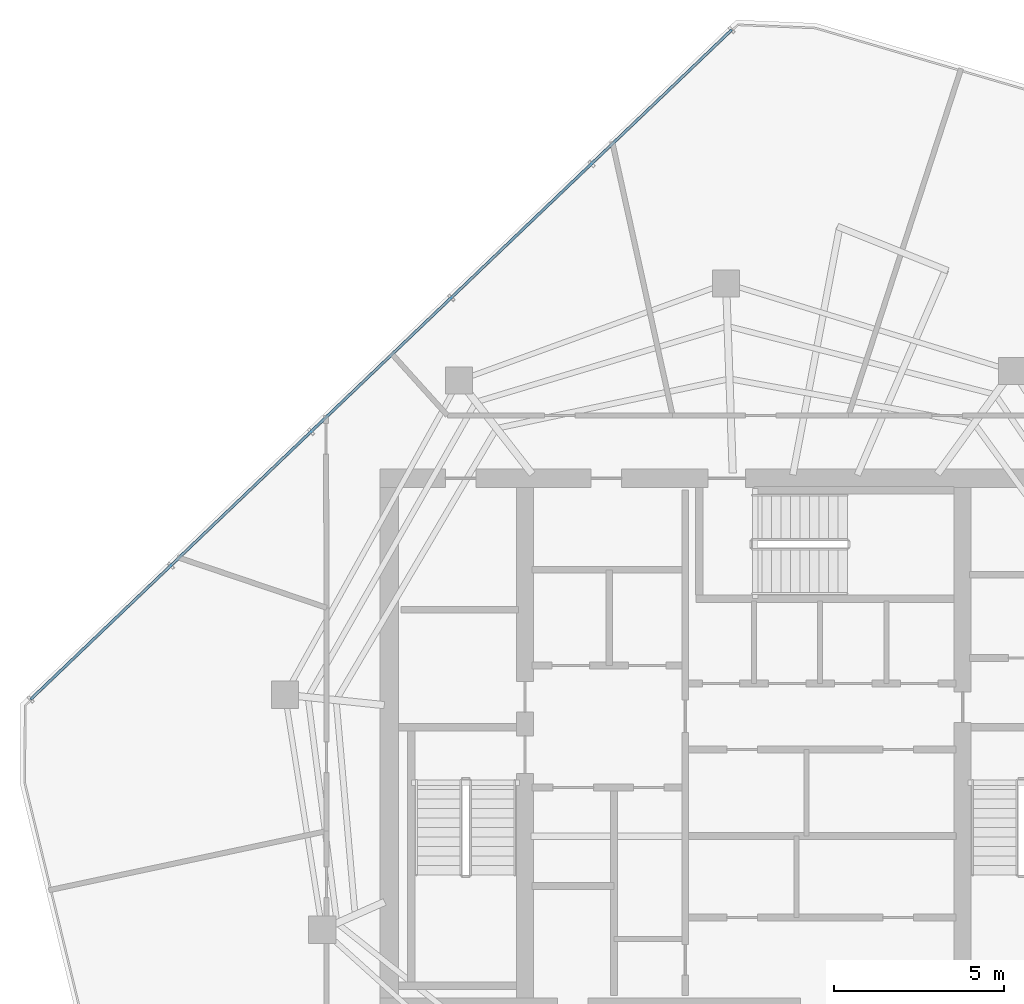
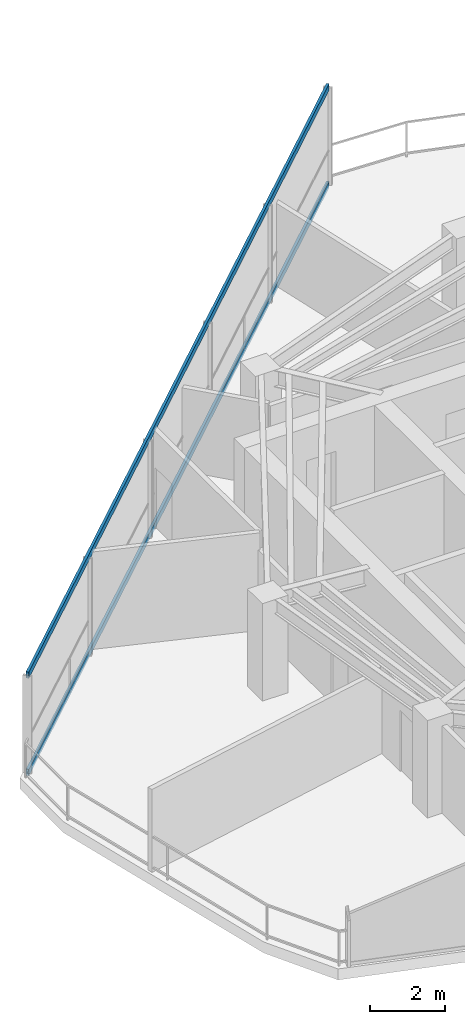
# One storey, part 7 of 19: 2 members, 1 element without a shape of its own.
"""IFC4 building model written with IfcOpenShell, lengths in metres."""

from ifc_helpers import new_model, si_unit, direction, frame, origin, origin_2d, place, context, subcontext, project, spatial, hollow_rectangle, extrude, material, layer, layer_set, material_profile, profile_set, type_object, element, aggregate, save


model = new_model("IFC4")

# Units and contexts
model_context = context("Model", 3, precision=1e-05, world=origin(), true_north=direction((0.0, 1.0)))
body_context = subcontext(model_context, "Body", "Model", "MODEL_VIEW")
ifc_project = project(units=[si_unit("LENGTHUNIT", "METRE"), si_unit("AREAUNIT", "SQUARE_METRE"), si_unit("VOLUMEUNIT", "CUBIC_METRE"), si_unit("PLANEANGLEUNIT", "RADIAN"), si_unit("MASSUNIT", "GRAM", prefix="KILO")], contexts=[model_context])

# Site, building, storey
site_placement = place(None, origin())
site = spatial("IfcSite", under=ifc_project, at=site_placement, CompositionType="ELEMENT")
building_placement = place(site_placement, origin())
building = spatial("IfcBuilding", under=site, at=building_placement, Name="Qarnah Convention Tower", CompositionType="ELEMENT")
storey_placement = place(building_placement, frame((0.0, 0.0, 231.89990234375)))
storey = spatial("IfcBuildingStorey", under=building, at=storey_placement, Name="L62", CompositionType="ELEMENT", Elevation=231.89990234375)

# Curtain wall, members
ifc_material_1 = material(Name="Tempered Low-E dark glass", Category="glass")
ifc_layer = layer(ifc_material_1, 0.176025390625)
ifc_layer_set = layer_set([ifc_layer], Name="Tempered Low-E dark glass")
curtain_wall_type = type_object("IfcCurtainWallType", Name="CWS-05", PredefinedType="NOTDEFINED", material=ifc_layer_set)
curtain_wall_placement = place(storey_placement, origin())
curtain_wall = element("IfcCurtainWall", 1, at=curtain_wall_placement, inside=storey, type_object=curtain_wall_type, Name="L62 unitised curtain wall CW-L62-F1", PredefinedType="NOTDEFINED")
ifc_material_2 = material(Name="Black anodised aluminium", Category="aluminium")
ifc_material_profile = material_profile(ifc_material_2, hollow_rectangle(XDim=0.080078125, YDim=0.2099609375, WallThickness=0.0048828125, at=origin_2d()), Name="TRN-80X210")
ifc_profile_set = profile_set([ifc_material_profile], Name="Black anodised aluminium")
member_type = type_object("IfcMemberType", Name="TRN-T5", PredefinedType="USERDEFINED", material=ifc_profile_set)
member_1_placement = place(storey_placement, frame((16.22509765625, 27.677978515625, 0.0), z_axis=(0.723188117617, 0.690651103334, 0.0), x_axis=(-0.690651103334, 0.723188117617, 0.0)))
member_1 = element("IfcMember", 2, at=member_1_placement, type_object=member_type, Name="CW-L62-F1 transom 1", ObjectType="TRANSOM", PredefinedType="USERDEFINED", context=body_context, shape_type="SweptSolid", body=[
    extrude(hollow_rectangle(XDim=0.080078125, YDim=0.2099609375, WallThickness=0.0048828125, at=origin_2d()), origin(), (0.0, 0.0, 1.0), 28.5732421875),
])
member_2_placement = place(storey_placement, frame((16.22509765625, 27.677978515625, 3.18017578125), z_axis=(0.723188117617, 0.690651103334, 0.0), x_axis=(-0.690651103334, 0.723188117617, 0.0)))
member_2 = element("IfcMember", 3, at=member_2_placement, type_object=member_type, Name="CW-L62-F1 transom 2", ObjectType="TRANSOM", PredefinedType="USERDEFINED", context=body_context, shape_type="SweptSolid", body=[
    extrude(hollow_rectangle(XDim=0.080078125, YDim=0.2099609375, WallThickness=0.0048828125, at=origin_2d()), origin(), (0.0, 0.0, 1.0), 28.5732421875),
])
aggregate(curtain_wall, [member_1, member_2])

save(model, "model.ifc")
